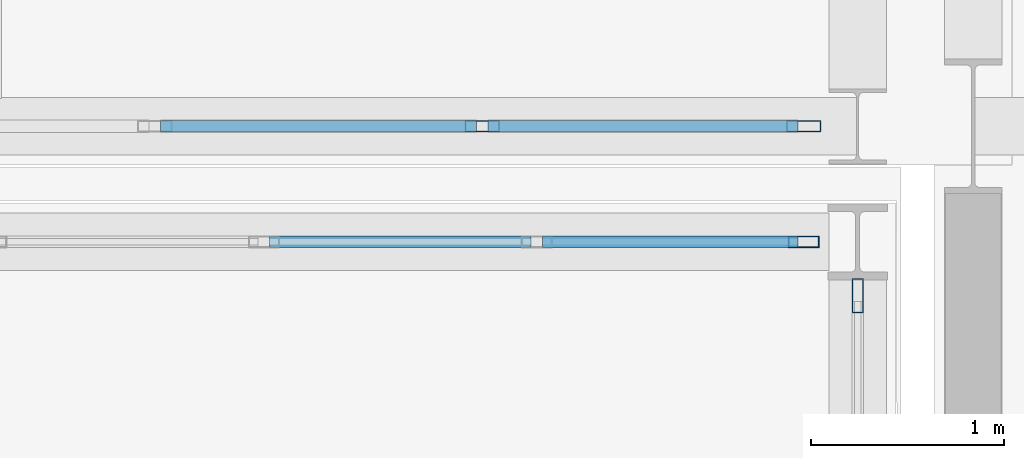
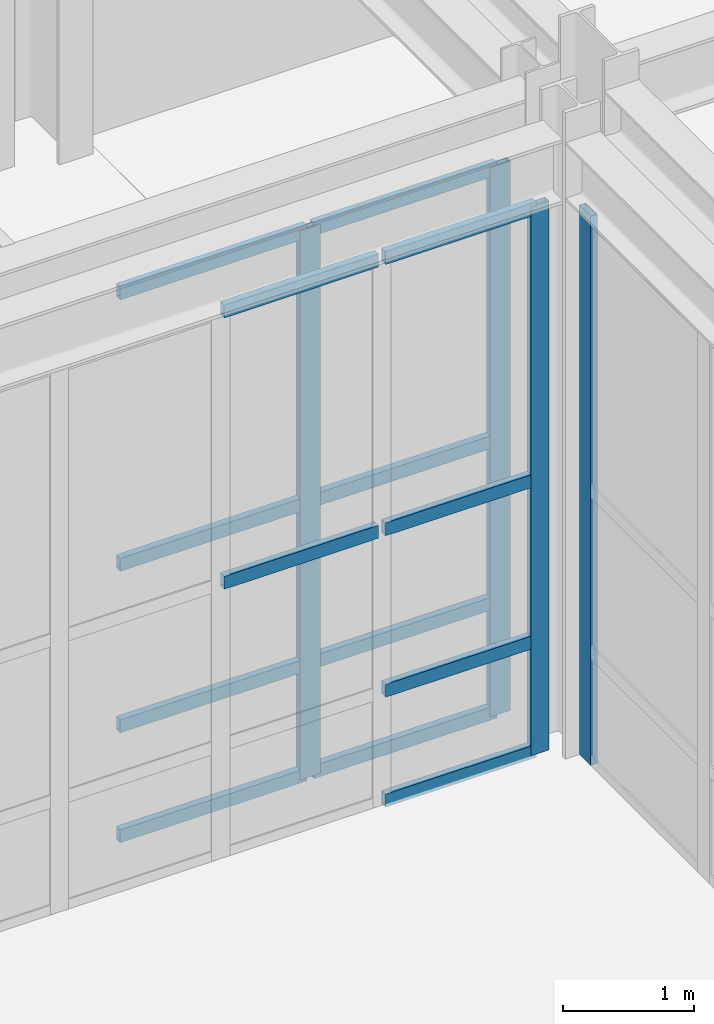
# One storey, part 46 of 146: 18 members, 3 elements without a shape of their own.
"""IFC4 building model written with IfcOpenShell, lengths in metres."""

from ifc_helpers import new_model, si_unit, direction, frame, origin, origin_2d, place, context, subcontext, project, spatial, hollow_rectangle, extrude, material, material_profile, profile_set, type_object, element, aggregate, save


model = new_model("IFC4")

# Units and contexts
model_context = context("Model", 3, precision=1e-05, world=origin(), true_north=direction((0.0, 1.0)))
body_context = subcontext(model_context, "Body", "Model", "MODEL_VIEW")
ifc_project = project(units=[si_unit("LENGTHUNIT", "METRE"), si_unit("AREAUNIT", "SQUARE_METRE"), si_unit("VOLUMEUNIT", "CUBIC_METRE"), si_unit("PLANEANGLEUNIT", "RADIAN"), si_unit("MASSUNIT", "GRAM", prefix="KILO")], contexts=[model_context])

# Site, building, storey
site_placement = place(None, origin())
site = spatial("IfcSite", under=ifc_project, at=site_placement, CompositionType="ELEMENT")
building_placement = place(site_placement, origin())
building = spatial("IfcBuilding", under=site, at=building_placement, Name="Kaldris Quays Convention Centre", CompositionType="ELEMENT")
storey_placement = place(building_placement, origin())
storey = spatial("IfcBuildingStorey", under=building, at=storey_placement, Name="L00", CompositionType="ELEMENT", Elevation=0.0)

# Curtain wall, member
ifc_material_1 = material(Name="Anodized aluminium AW-6060 and triple glazing", Category="aluminium")
curtain_wall_type_1 = type_object("IfcCurtainWallType", Name="UNITISED CURTAIN WALL CW01", PredefinedType="NOTDEFINED", material=ifc_material_1)
curtain_wall_1_placement = place(storey_placement, origin())
curtain_wall_1 = element("IfcCurtainWall", 1, at=curtain_wall_1_placement, inside=storey, type_object=curtain_wall_type_1, Name="L00 Unitised Curtain Wall CW01 50", PredefinedType="NOTDEFINED")
ifc_material_2 = material(Name="Anodized aluminium AW-6060", Category="aluminium")
ifc_material_profile_1 = material_profile(ifc_material_2, hollow_rectangle(XDim=0.06005859375, YDim=0.159912109375, WallThickness=0.00390625, at=origin_2d()), Name="RHS 160x60x4")
ifc_profile_set_1 = profile_set([ifc_material_profile_1], Name="Anodized aluminium AW-6060")
member_type_1 = type_object("IfcMemberType", Name="CURTAIN MULLION CWM1", PredefinedType="MULLION", material=ifc_profile_set_1)
member_1_placement = place(storey_placement, frame((82.719970703125, 46.0, 0.0), z_axis=(0.0, 0.0, 1.0), x_axis=(0.0, 1.0, 0.0)))
member_1 = element("IfcMember", 2, at=member_1_placement, type_object=member_type_1, Name="CW01 mullion 7", PredefinedType="MULLION", context=body_context, shape_type="SweptSolid", body=[
    extrude(hollow_rectangle(XDim=0.06005859375, YDim=0.159912109375, WallThickness=0.00390625, at=origin_2d()), origin(), (0.0, 0.0, 1.0), 5.097900390625),
])

curtain_wall_type_2 = type_object("IfcCurtainWallType", Name="UNITISED CURTAIN WALL CW05", PredefinedType="NOTDEFINED", material=ifc_material_1)
curtain_wall_2_placement = place(storey_placement, origin())
curtain_wall_2 = element("IfcCurtainWall", 3, at=curtain_wall_2_placement, inside=storey, type_object=curtain_wall_type_2, Name="L00 Unitised Curtain Wall CW05 58", PredefinedType="NOTDEFINED")
ifc_material_profile_2 = material_profile(ifc_material_2, hollow_rectangle(XDim=0.06005859375, YDim=0.179931640625, WallThickness=0.0048828125, at=origin_2d()), Name="RHS 180x60x5")
ifc_profile_set_2 = profile_set([ifc_material_profile_2], Name="Anodized aluminium AW-6060")
member_type_2 = type_object("IfcMemberType", Name="CURTAIN MULLION CWM2", PredefinedType="MULLION", material=ifc_profile_set_2)
member_2_placement = place(storey_placement, frame((83.0, 45.719970703125, 0.0), z_axis=(0.0, 0.0, 1.0), x_axis=(-1.0, 0.0, 0.0)))
member_2 = element("IfcMember", 4, at=member_2_placement, type_object=member_type_2, Name="CW05 mullion 4", PredefinedType="MULLION", context=body_context, shape_type="SweptSolid", body=[
    extrude(hollow_rectangle(XDim=0.06005859375, YDim=0.179931640625, WallThickness=0.0048828125, at=origin_2d()), origin(), (0.0, 0.0, 1.0), 5.097900390625),
])
aggregate(curtain_wall_2, [member_2])

# Curtain wall, members
curtain_wall_type_3 = type_object("IfcCurtainWallType", Name="UNITISED CURTAIN WALL CW02", PredefinedType="NOTDEFINED", material=ifc_material_1)
curtain_wall_3_placement = place(storey_placement, origin())
curtain_wall_3 = element("IfcCurtainWall", 5, at=curtain_wall_3_placement, inside=storey, type_object=curtain_wall_type_3, Name="L00 Unitised Curtain Wall CW02 88", PredefinedType="NOTDEFINED")
member_3_placement = place(storey_placement, frame((81.050048828125, 46.60009765625, 0.0), z_axis=(0.0, 0.0, 1.0), x_axis=(0.0, 1.0, 0.0)))
member_3 = element("IfcMember", 6, at=member_3_placement, type_object=member_type_2, Name="CW02 mullion 5", PredefinedType="MULLION", context=body_context, shape_type="SweptSolid", body=[
    extrude(hollow_rectangle(XDim=0.06005859375, YDim=0.179931640625, WallThickness=0.0048828125, at=origin_2d()), origin(), (0.0, 0.0, 1.0), 5.10009765625),
])
member_4_placement = place(storey_placement, frame((82.719970703125, 46.60009765625, 0.0), z_axis=(0.0, 0.0, 1.0), x_axis=(0.0, 1.0, 0.0)))
member_4 = element("IfcMember", 7, at=member_4_placement, type_object=member_type_2, Name="CW02 mullion 6", PredefinedType="MULLION", context=body_context, shape_type="SweptSolid", body=[
    extrude(hollow_rectangle(XDim=0.06005859375, YDim=0.179931640625, WallThickness=0.0048828125, at=origin_2d()), origin(), (0.0, 0.0, 1.0), 5.10009765625),
])

# Member
ifc_material_profile_3 = material_profile(ifc_material_2, hollow_rectangle(XDim=0.06005859375, YDim=0.1201171875, WallThickness=0.00390625, at=origin_2d()), Name="RHS 120x60x4")
ifc_profile_set_3 = profile_set([ifc_material_profile_3], Name="Anodized aluminium AW-6060")
member_type_3 = type_object("IfcMemberType", Name="CURTAIN TRANSOM CWT1", PredefinedType="USERDEFINED", material=ifc_profile_set_3)
member_5_placement = place(storey_placement, frame((79.94677734375, 46.0, 2.549072265625), z_axis=(1.0, 0.0, 0.0), x_axis=(0.0, 1.0, 0.0)))
member_5 = element("IfcMember", 8, at=member_5_placement, type_object=member_type_3, Name="CW01 transom 5.3", ObjectType="TRANSOM", PredefinedType="USERDEFINED", context=body_context, shape_type="SweptSolid", body=[
    extrude(hollow_rectangle(XDim=0.06005859375, YDim=0.1201171875, WallThickness=0.00390625, at=origin_2d()), origin(), (0.0, 0.0, 1.0), 1.3564453125),
])

member_6_placement = place(storey_placement, frame((79.94677734375, 46.0, 5.068115234375), z_axis=(1.0, 0.0, 0.0), x_axis=(0.0, 1.0, 0.0)))
member_6 = element("IfcMember", 9, at=member_6_placement, type_object=member_type_3, Name="CW01 transom 5.4", ObjectType="TRANSOM", PredefinedType="USERDEFINED", context=body_context, shape_type="SweptSolid", body=[
    extrude(hollow_rectangle(XDim=0.06005859375, YDim=0.1201171875, WallThickness=0.00390625, at=origin_2d()), origin(), (0.0, 0.0, 1.0), 1.3564453125),
])

member_7_placement = place(storey_placement, frame((81.36328125, 46.0, 0.030029296875), z_axis=(1.0, 0.0, 0.0), x_axis=(0.0, 1.0, 0.0)))
member_7 = element("IfcMember", 10, at=member_7_placement, type_object=member_type_3, Name="CW01 transom 6.1", ObjectType="TRANSOM", PredefinedType="USERDEFINED", context=body_context, shape_type="SweptSolid", body=[
    extrude(hollow_rectangle(XDim=0.06005859375, YDim=0.1201171875, WallThickness=0.00390625, at=origin_2d()), origin(), (0.0, 0.0, 1.0), 1.32666015625),
])

member_8_placement = place(storey_placement, frame((81.36328125, 46.0, 1.050048828125), z_axis=(1.0, 0.0, 0.0), x_axis=(0.0, 1.0, 0.0)))
member_8 = element("IfcMember", 11, at=member_8_placement, type_object=member_type_3, Name="CW01 transom 6.2", ObjectType="TRANSOM", PredefinedType="USERDEFINED", context=body_context, shape_type="SweptSolid", body=[
    extrude(hollow_rectangle(XDim=0.06005859375, YDim=0.1201171875, WallThickness=0.00390625, at=origin_2d()), origin(), (0.0, 0.0, 1.0), 1.32666015625),
])

member_9_placement = place(storey_placement, frame((81.36328125, 46.0, 2.549072265625), z_axis=(1.0, 0.0, 0.0), x_axis=(0.0, 1.0, 0.0)))
member_9 = element("IfcMember", 12, at=member_9_placement, type_object=member_type_3, Name="CW01 transom 6.3", ObjectType="TRANSOM", PredefinedType="USERDEFINED", context=body_context, shape_type="SweptSolid", body=[
    extrude(hollow_rectangle(XDim=0.06005859375, YDim=0.1201171875, WallThickness=0.00390625, at=origin_2d()), origin(), (0.0, 0.0, 1.0), 1.32666015625),
])

member_10_placement = place(storey_placement, frame((81.36328125, 46.0, 5.068115234375), z_axis=(1.0, 0.0, 0.0), x_axis=(0.0, 1.0, 0.0)))
member_10 = element("IfcMember", 13, at=member_10_placement, type_object=member_type_3, Name="CW01 transom 6.4", ObjectType="TRANSOM", PredefinedType="USERDEFINED", context=body_context, shape_type="SweptSolid", body=[
    extrude(hollow_rectangle(XDim=0.06005859375, YDim=0.1201171875, WallThickness=0.00390625, at=origin_2d()), origin(), (0.0, 0.0, 1.0), 1.32666015625),
])

aggregate(curtain_wall_1, [member_1, member_5, member_6, member_7, member_8, member_9, member_10])

member_11_placement = place(storey_placement, frame((79.3798828125, 46.60009765625, 0.030029296875), z_axis=(1.0, 0.0, 0.0), x_axis=(0.0, 1.0, 0.0)))
member_11 = element("IfcMember", 14, at=member_11_placement, type_object=member_type_3, Name="CW02 transom 4.1", ObjectType="TRANSOM", PredefinedType="USERDEFINED", context=body_context, shape_type="SweptSolid", body=[
    extrude(hollow_rectangle(XDim=0.06005859375, YDim=0.1201171875, WallThickness=0.00390625, at=origin_2d()), origin(), (0.0, 0.0, 1.0), 1.64013671875),
])

member_12_placement = place(storey_placement, frame((79.3798828125, 46.60009765625, 1.050048828125), z_axis=(1.0, 0.0, 0.0), x_axis=(0.0, 1.0, 0.0)))
member_12 = element("IfcMember", 15, at=member_12_placement, type_object=member_type_3, Name="CW02 transom 4.2", ObjectType="TRANSOM", PredefinedType="USERDEFINED", context=body_context, shape_type="SweptSolid", body=[
    extrude(hollow_rectangle(XDim=0.06005859375, YDim=0.1201171875, WallThickness=0.00390625, at=origin_2d()), origin(), (0.0, 0.0, 1.0), 1.64013671875),
])

member_13_placement = place(storey_placement, frame((79.3798828125, 46.60009765625, 2.550048828125), z_axis=(1.0, 0.0, 0.0), x_axis=(0.0, 1.0, 0.0)))
member_13 = element("IfcMember", 16, at=member_13_placement, type_object=member_type_3, Name="CW02 transom 4.3", ObjectType="TRANSOM", PredefinedType="USERDEFINED", context=body_context, shape_type="SweptSolid", body=[
    extrude(hollow_rectangle(XDim=0.06005859375, YDim=0.1201171875, WallThickness=0.00390625, at=origin_2d()), origin(), (0.0, 0.0, 1.0), 1.64013671875),
])

member_14_placement = place(storey_placement, frame((79.3798828125, 46.60009765625, 5.070068359375), z_axis=(1.0, 0.0, 0.0), x_axis=(0.0, 1.0, 0.0)))
member_14 = element("IfcMember", 17, at=member_14_placement, type_object=member_type_3, Name="CW02 transom 4.4", ObjectType="TRANSOM", PredefinedType="USERDEFINED", context=body_context, shape_type="SweptSolid", body=[
    extrude(hollow_rectangle(XDim=0.06005859375, YDim=0.1201171875, WallThickness=0.00390625, at=origin_2d()), origin(), (0.0, 0.0, 1.0), 1.64013671875),
])

member_15_placement = place(storey_placement, frame((81.080078125, 46.60009765625, 0.030029296875), z_axis=(1.0, 0.0, 0.0), x_axis=(0.0, 1.0, 0.0)))
member_15 = element("IfcMember", 18, at=member_15_placement, type_object=member_type_3, Name="CW02 transom 5.1", ObjectType="TRANSOM", PredefinedType="USERDEFINED", context=body_context, shape_type="SweptSolid", body=[
    extrude(hollow_rectangle(XDim=0.06005859375, YDim=0.1201171875, WallThickness=0.00390625, at=origin_2d()), origin(), (0.0, 0.0, 1.0), 1.60986328125),
])

member_16_placement = place(storey_placement, frame((81.080078125, 46.60009765625, 1.050048828125), z_axis=(1.0, 0.0, 0.0), x_axis=(0.0, 1.0, 0.0)))
member_16 = element("IfcMember", 19, at=member_16_placement, type_object=member_type_3, Name="CW02 transom 5.2", ObjectType="TRANSOM", PredefinedType="USERDEFINED", context=body_context, shape_type="SweptSolid", body=[
    extrude(hollow_rectangle(XDim=0.06005859375, YDim=0.1201171875, WallThickness=0.00390625, at=origin_2d()), origin(), (0.0, 0.0, 1.0), 1.60986328125),
])

member_17_placement = place(storey_placement, frame((81.080078125, 46.60009765625, 2.550048828125), z_axis=(1.0, 0.0, 0.0), x_axis=(0.0, 1.0, 0.0)))
member_17 = element("IfcMember", 20, at=member_17_placement, type_object=member_type_3, Name="CW02 transom 5.3", ObjectType="TRANSOM", PredefinedType="USERDEFINED", context=body_context, shape_type="SweptSolid", body=[
    extrude(hollow_rectangle(XDim=0.06005859375, YDim=0.1201171875, WallThickness=0.00390625, at=origin_2d()), origin(), (0.0, 0.0, 1.0), 1.60986328125),
])

member_18_placement = place(storey_placement, frame((81.080078125, 46.60009765625, 5.070068359375), z_axis=(1.0, 0.0, 0.0), x_axis=(0.0, 1.0, 0.0)))
member_18 = element("IfcMember", 21, at=member_18_placement, type_object=member_type_3, Name="CW02 transom 5.4", ObjectType="TRANSOM", PredefinedType="USERDEFINED", context=body_context, shape_type="SweptSolid", body=[
    extrude(hollow_rectangle(XDim=0.06005859375, YDim=0.1201171875, WallThickness=0.00390625, at=origin_2d()), origin(), (0.0, 0.0, 1.0), 1.60986328125),
])

aggregate(curtain_wall_3, [member_3, member_4, member_11, member_12, member_13, member_14, member_15, member_16, member_17, member_18])

save(model, "model.ifc")
